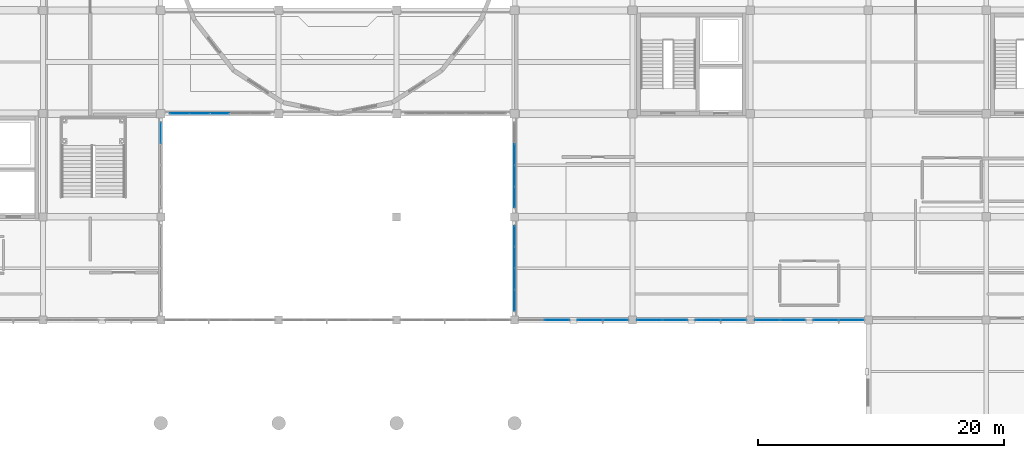
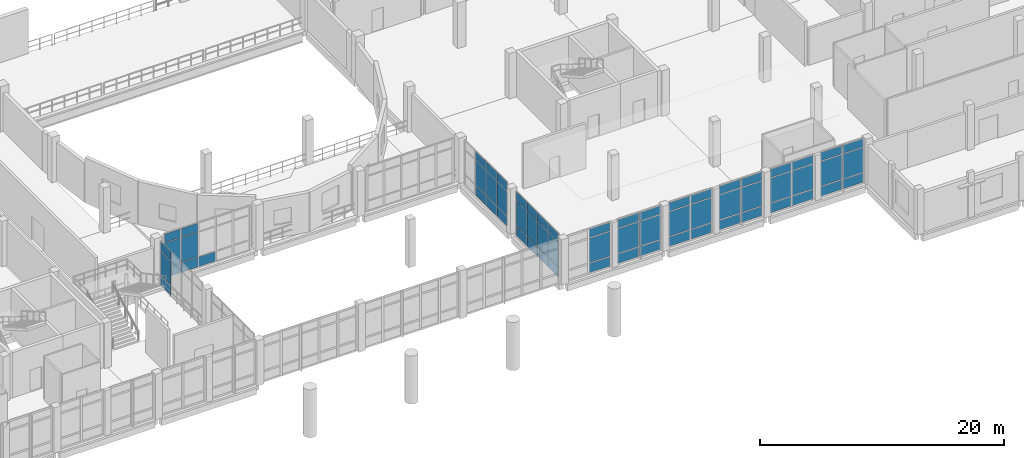
# One storey, part 79 of 102: 64 plates, 10 elements without a shape of their own.
"""IFC4 building model written with IfcOpenShell, lengths in metres."""

from ifc_helpers import new_model, si_unit, direction, frame, origin, origin_2d, place, context, subcontext, project, spatial, rectangle, extrude, material, layer, layer_set, type_object, element, aggregate, save


model = new_model("IFC4")

# Units and contexts
model_context = context("Model", 3, precision=1e-05, world=origin(), true_north=direction((0.0, 1.0)))
body_context = subcontext(model_context, "Body", "Model", "MODEL_VIEW")
ifc_project = project(units=[si_unit("LENGTHUNIT", "METRE"), si_unit("AREAUNIT", "SQUARE_METRE"), si_unit("VOLUMEUNIT", "CUBIC_METRE"), si_unit("PLANEANGLEUNIT", "RADIAN"), si_unit("MASSUNIT", "GRAM", prefix="KILO")], contexts=[model_context])

# Site, building, storey
site_placement = place(None, origin())
site = spatial("IfcSite", under=ifc_project, at=site_placement, CompositionType="ELEMENT")
building_placement = place(site_placement, origin())
building = spatial("IfcBuilding", under=site, at=building_placement, Name="Lornevale Opera House", CompositionType="ELEMENT")
storey_placement = place(building_placement, frame((0.0, 0.0, 5.39990234375)))
storey = spatial("IfcBuildingStorey", under=building, at=storey_placement, Name="L02", CompositionType="ELEMENT", Elevation=5.39990234375)

# Curtain wall, plates
ifc_material_1 = material(Name="Anodized Oxide-Green Aluminium Framing", Category="aluminium")
ifc_layer_1 = layer(ifc_material_1, 0.14990234375)
ifc_layer_set_1 = layer_set([ifc_layer_1], Name="Anodized Oxide-Green Aluminium Framing")
curtain_wall_type_1 = type_object("IfcCurtainWallType", Name="North-Light Clerestory Curtain Wall M1600", PredefinedType="NOTDEFINED", material=ifc_layer_set_1)
curtain_wall_1_placement = place(storey_placement, origin())
curtain_wall_1 = element("IfcCurtainWall", 1, at=curtain_wall_1_placement, inside=storey, type_object=curtain_wall_type_1, Name="North-Light Clerestory Curtain Wall M1600 CW-172", PredefinedType="NOTDEFINED")
ifc_material_2 = material(Name="Triple Low-E Insulated Glazing", Category="glass")
ifc_layer_2 = layer(ifc_material_2, 0.033935546875)
ifc_layer_set_2 = layer_set([ifc_layer_2], Name="Triple Low-E Insulated Glazing")
plate_type_1 = type_object("IfcPlateType", Name="Clerestory Diffusing Glazing Panel 34", PredefinedType="CURTAIN_PANEL", material=ifc_layer_set_2)
plate_1_placement = place(storey_placement, frame((67.199951171875, 32.010009765625, 0.06005859375), z_axis=(0.0, 0.0, 1.0), x_axis=(0.0, 1.0, 0.0)))
plate_1 = element("IfcPlate", 2, at=plate_1_placement, type_object=plate_type_1, Name="Clerestory Diffusing Glazing Panel 34 CW3522", PredefinedType="CURTAIN_PANEL", context=body_context, shape_type="SweptSolid", body=[
    extrude(rectangle(XDim=1.659912109375, YDim=0.033935546875, at=origin_2d()), origin(), (0.0, 0.0, 1.0), 0.9599609375),
])
plate_2_placement = place(storey_placement, frame((67.199951171875, 32.010009765625, 1.080078125), z_axis=(0.0, 0.0, 1.0), x_axis=(0.0, 1.0, 0.0)))
plate_2 = element("IfcPlate", 3, at=plate_2_placement, type_object=plate_type_1, Name="Clerestory Diffusing Glazing Panel 34 CW3523", PredefinedType="CURTAIN_PANEL", context=body_context, shape_type="SweptSolid", body=[
    extrude(rectangle(XDim=1.659912109375, YDim=0.033935546875, at=origin_2d()), origin(), (0.0, 0.0, 1.0), 2.43994140625),
])
plate_3_placement = place(storey_placement, frame((67.199951171875, 32.010009765625, 3.580078125), z_axis=(0.0, 0.0, 1.0), x_axis=(0.0, 1.0, 0.0)))
plate_3 = element("IfcPlate", 4, at=plate_3_placement, type_object=plate_type_1, Name="Clerestory Diffusing Glazing Panel 34 CW3524", PredefinedType="CURTAIN_PANEL", context=body_context, shape_type="SweptSolid", body=[
    extrude(rectangle(XDim=1.659912109375, YDim=0.033935546875, at=origin_2d()), origin(), (0.0, 0.0, 1.0), 0.860107421875),
])
aggregate(curtain_wall_1, [plate_1, plate_2, plate_3])

curtain_wall_2_placement = place(storey_placement, origin())
curtain_wall_2 = element("IfcCurtainWall", 5, at=curtain_wall_2_placement, inside=storey, type_object=curtain_wall_type_1, Name="North-Light Clerestory Curtain Wall M1600 CW-173", PredefinedType="NOTDEFINED")
plate_4_placement = place(storey_placement, frame((96.0, 30.27490234375, 0.06005859375), z_axis=(0.0, 0.0, 1.0), x_axis=(0.0, -1.0, 0.0)))
plate_4 = element("IfcPlate", 6, at=plate_4_placement, type_object=plate_type_1, Name="Clerestory Diffusing Glazing Panel 34 CW3541", PredefinedType="CURTAIN_PANEL", context=body_context, shape_type="SweptSolid", body=[
    extrude(rectangle(XDim=1.68994140625, YDim=0.033935546875, at=origin_2d()), origin(), (0.0, 0.0, 1.0), 0.9599609375),
])
plate_5_placement = place(storey_placement, frame((96.0, 30.27490234375, 1.080078125), z_axis=(0.0, 0.0, 1.0), x_axis=(0.0, -1.0, 0.0)))
plate_5 = element("IfcPlate", 7, at=plate_5_placement, type_object=plate_type_1, Name="Clerestory Diffusing Glazing Panel 34 CW3542", PredefinedType="CURTAIN_PANEL", context=body_context, shape_type="SweptSolid", body=[
    extrude(rectangle(XDim=1.68994140625, YDim=0.033935546875, at=origin_2d()), origin(), (0.0, 0.0, 1.0), 2.43994140625),
])
plate_6_placement = place(storey_placement, frame((96.0, 30.27490234375, 3.580078125), z_axis=(0.0, 0.0, 1.0), x_axis=(0.0, -1.0, 0.0)))
plate_6 = element("IfcPlate", 8, at=plate_6_placement, type_object=plate_type_1, Name="Clerestory Diffusing Glazing Panel 34 CW3543", PredefinedType="CURTAIN_PANEL", context=body_context, shape_type="SweptSolid", body=[
    extrude(rectangle(XDim=1.68994140625, YDim=0.033935546875, at=origin_2d()), origin(), (0.0, 0.0, 1.0), 0.860107421875),
])
plate_7_placement = place(storey_placement, frame((96.0, 28.52490234375, 0.06005859375), z_axis=(0.0, 0.0, 1.0), x_axis=(0.0, -1.0, 0.0)))
plate_7 = element("IfcPlate", 9, at=plate_7_placement, type_object=plate_type_1, Name="Clerestory Diffusing Glazing Panel 34 CW3548", PredefinedType="CURTAIN_PANEL", context=body_context, shape_type="SweptSolid", body=[
    extrude(rectangle(XDim=1.68994140625, YDim=0.033935546875, at=origin_2d()), origin(), (0.0, 0.0, 1.0), 0.9599609375),
])
plate_8_placement = place(storey_placement, frame((96.0, 28.52490234375, 1.080078125), z_axis=(0.0, 0.0, 1.0), x_axis=(0.0, -1.0, 0.0)))
plate_8 = element("IfcPlate", 10, at=plate_8_placement, type_object=plate_type_1, Name="Clerestory Diffusing Glazing Panel 34 CW3549", PredefinedType="CURTAIN_PANEL", context=body_context, shape_type="SweptSolid", body=[
    extrude(rectangle(XDim=1.68994140625, YDim=0.033935546875, at=origin_2d()), origin(), (0.0, 0.0, 1.0), 2.43994140625),
])
plate_9_placement = place(storey_placement, frame((96.0, 28.52490234375, 3.580078125), z_axis=(0.0, 0.0, 1.0), x_axis=(0.0, -1.0, 0.0)))
plate_9 = element("IfcPlate", 11, at=plate_9_placement, type_object=plate_type_1, Name="Clerestory Diffusing Glazing Panel 34 CW3550", PredefinedType="CURTAIN_PANEL", context=body_context, shape_type="SweptSolid", body=[
    extrude(rectangle(XDim=1.68994140625, YDim=0.033935546875, at=origin_2d()), origin(), (0.0, 0.0, 1.0), 0.860107421875),
])
plate_10_placement = place(storey_placement, frame((96.0, 26.7900390625, 0.06005859375), z_axis=(0.0, 0.0, 1.0), x_axis=(0.0, -1.0, 0.0)))
plate_10 = element("IfcPlate", 12, at=plate_10_placement, type_object=plate_type_1, Name="Clerestory Diffusing Glazing Panel 34 CW3555", PredefinedType="CURTAIN_PANEL", context=body_context, shape_type="SweptSolid", body=[
    extrude(rectangle(XDim=1.659912109375, YDim=0.033935546875, at=origin_2d()), origin(), (0.0, 0.0, 1.0), 0.9599609375),
])
plate_11_placement = place(storey_placement, frame((96.0, 26.7900390625, 1.080078125), z_axis=(0.0, 0.0, 1.0), x_axis=(0.0, -1.0, 0.0)))
plate_11 = element("IfcPlate", 13, at=plate_11_placement, type_object=plate_type_1, Name="Clerestory Diffusing Glazing Panel 34 CW3556", PredefinedType="CURTAIN_PANEL", context=body_context, shape_type="SweptSolid", body=[
    extrude(rectangle(XDim=1.659912109375, YDim=0.033935546875, at=origin_2d()), origin(), (0.0, 0.0, 1.0), 2.43994140625),
])
plate_12_placement = place(storey_placement, frame((96.0, 26.7900390625, 3.580078125), z_axis=(0.0, 0.0, 1.0), x_axis=(0.0, -1.0, 0.0)))
plate_12 = element("IfcPlate", 14, at=plate_12_placement, type_object=plate_type_1, Name="Clerestory Diffusing Glazing Panel 34 CW3557", PredefinedType="CURTAIN_PANEL", context=body_context, shape_type="SweptSolid", body=[
    extrude(rectangle(XDim=1.659912109375, YDim=0.033935546875, at=origin_2d()), origin(), (0.0, 0.0, 1.0), 0.860107421875),
])
aggregate(curtain_wall_2, [plate_4, plate_5, plate_6, plate_7, plate_8, plate_9, plate_10, plate_11, plate_12])

curtain_wall_3_placement = place(storey_placement, origin())
curtain_wall_3 = element("IfcCurtainWall", 15, at=curtain_wall_3_placement, inside=storey, type_object=curtain_wall_type_1, Name="North-Light Clerestory Curtain Wall M1600 CW-174", PredefinedType="NOTDEFINED")
plate_13_placement = place(storey_placement, frame((96.0, 23.610107421875, 0.06005859375), z_axis=(0.0, 0.0, 1.0), x_axis=(0.0, -1.0, 0.0)))
plate_13 = element("IfcPlate", 16, at=plate_13_placement, type_object=plate_type_1, Name="Clerestory Diffusing Glazing Panel 34 CW3567", PredefinedType="CURTAIN_PANEL", context=body_context, shape_type="SweptSolid", body=[
    extrude(rectangle(XDim=1.659912109375, YDim=0.033935546875, at=origin_2d()), origin(), (0.0, 0.0, 1.0), 0.9599609375),
])
plate_14_placement = place(storey_placement, frame((96.0, 23.610107421875, 1.080078125), z_axis=(0.0, 0.0, 1.0), x_axis=(0.0, -1.0, 0.0)))
plate_14 = element("IfcPlate", 17, at=plate_14_placement, type_object=plate_type_1, Name="Clerestory Diffusing Glazing Panel 34 CW3568", PredefinedType="CURTAIN_PANEL", context=body_context, shape_type="SweptSolid", body=[
    extrude(rectangle(XDim=1.659912109375, YDim=0.033935546875, at=origin_2d()), origin(), (0.0, 0.0, 1.0), 2.43994140625),
])
plate_15_placement = place(storey_placement, frame((96.0, 23.610107421875, 3.580078125), z_axis=(0.0, 0.0, 1.0), x_axis=(0.0, -1.0, 0.0)))
plate_15 = element("IfcPlate", 18, at=plate_15_placement, type_object=plate_type_1, Name="Clerestory Diffusing Glazing Panel 34 CW3569", PredefinedType="CURTAIN_PANEL", context=body_context, shape_type="SweptSolid", body=[
    extrude(rectangle(XDim=1.659912109375, YDim=0.033935546875, at=origin_2d()), origin(), (0.0, 0.0, 1.0), 0.860107421875),
])
plate_16_placement = place(storey_placement, frame((96.0, 21.875, 0.06005859375), z_axis=(0.0, 0.0, 1.0), x_axis=(0.0, -1.0, 0.0)))
plate_16 = element("IfcPlate", 19, at=plate_16_placement, type_object=plate_type_1, Name="Clerestory Diffusing Glazing Panel 34 CW3574", PredefinedType="CURTAIN_PANEL", context=body_context, shape_type="SweptSolid", body=[
    extrude(rectangle(XDim=1.68994140625, YDim=0.033935546875, at=origin_2d()), origin(), (0.0, 0.0, 1.0), 0.9599609375),
])
plate_17_placement = place(storey_placement, frame((96.0, 21.875, 1.080078125), z_axis=(0.0, 0.0, 1.0), x_axis=(0.0, -1.0, 0.0)))
plate_17 = element("IfcPlate", 20, at=plate_17_placement, type_object=plate_type_1, Name="Clerestory Diffusing Glazing Panel 34 CW3575", PredefinedType="CURTAIN_PANEL", context=body_context, shape_type="SweptSolid", body=[
    extrude(rectangle(XDim=1.68994140625, YDim=0.033935546875, at=origin_2d()), origin(), (0.0, 0.0, 1.0), 2.43994140625),
])
plate_18_placement = place(storey_placement, frame((96.0, 21.875, 3.580078125), z_axis=(0.0, 0.0, 1.0), x_axis=(0.0, -1.0, 0.0)))
plate_18 = element("IfcPlate", 21, at=plate_18_placement, type_object=plate_type_1, Name="Clerestory Diffusing Glazing Panel 34 CW3576", PredefinedType="CURTAIN_PANEL", context=body_context, shape_type="SweptSolid", body=[
    extrude(rectangle(XDim=1.68994140625, YDim=0.033935546875, at=origin_2d()), origin(), (0.0, 0.0, 1.0), 0.860107421875),
])
plate_19_placement = place(storey_placement, frame((96.0, 20.125, 0.06005859375), z_axis=(0.0, 0.0, 1.0), x_axis=(0.0, -1.0, 0.0)))
plate_19 = element("IfcPlate", 22, at=plate_19_placement, type_object=plate_type_1, Name="Clerestory Diffusing Glazing Panel 34 CW3581", PredefinedType="CURTAIN_PANEL", context=body_context, shape_type="SweptSolid", body=[
    extrude(rectangle(XDim=1.68994140625, YDim=0.033935546875, at=origin_2d()), origin(), (0.0, 0.0, 1.0), 0.9599609375),
])
plate_20_placement = place(storey_placement, frame((96.0, 20.125, 1.080078125), z_axis=(0.0, 0.0, 1.0), x_axis=(0.0, -1.0, 0.0)))
plate_20 = element("IfcPlate", 23, at=plate_20_placement, type_object=plate_type_1, Name="Clerestory Diffusing Glazing Panel 34 CW3582", PredefinedType="CURTAIN_PANEL", context=body_context, shape_type="SweptSolid", body=[
    extrude(rectangle(XDim=1.68994140625, YDim=0.033935546875, at=origin_2d()), origin(), (0.0, 0.0, 1.0), 2.43994140625),
])
plate_21_placement = place(storey_placement, frame((96.0, 20.125, 3.580078125), z_axis=(0.0, 0.0, 1.0), x_axis=(0.0, -1.0, 0.0)))
plate_21 = element("IfcPlate", 24, at=plate_21_placement, type_object=plate_type_1, Name="Clerestory Diffusing Glazing Panel 34 CW3583", PredefinedType="CURTAIN_PANEL", context=body_context, shape_type="SweptSolid", body=[
    extrude(rectangle(XDim=1.68994140625, YDim=0.033935546875, at=origin_2d()), origin(), (0.0, 0.0, 1.0), 0.860107421875),
])
plate_22_placement = place(storey_placement, frame((96.0, 18.389892578125, 0.06005859375), z_axis=(0.0, 0.0, 1.0), x_axis=(0.0, -1.0, 0.0)))
plate_22 = element("IfcPlate", 25, at=plate_22_placement, type_object=plate_type_1, Name="Clerestory Diffusing Glazing Panel 34 CW3588", PredefinedType="CURTAIN_PANEL", context=body_context, shape_type="SweptSolid", body=[
    extrude(rectangle(XDim=1.659912109375, YDim=0.033935546875, at=origin_2d()), origin(), (0.0, 0.0, 1.0), 0.9599609375),
])
plate_23_placement = place(storey_placement, frame((96.0, 18.389892578125, 1.080078125), z_axis=(0.0, 0.0, 1.0), x_axis=(0.0, -1.0, 0.0)))
plate_23 = element("IfcPlate", 26, at=plate_23_placement, type_object=plate_type_1, Name="Clerestory Diffusing Glazing Panel 34 CW3589", PredefinedType="CURTAIN_PANEL", context=body_context, shape_type="SweptSolid", body=[
    extrude(rectangle(XDim=1.659912109375, YDim=0.033935546875, at=origin_2d()), origin(), (0.0, 0.0, 1.0), 2.43994140625),
])
plate_24_placement = place(storey_placement, frame((96.0, 18.389892578125, 3.580078125), z_axis=(0.0, 0.0, 1.0), x_axis=(0.0, -1.0, 0.0)))
plate_24 = element("IfcPlate", 27, at=plate_24_placement, type_object=plate_type_1, Name="Clerestory Diffusing Glazing Panel 34 CW3590", PredefinedType="CURTAIN_PANEL", context=body_context, shape_type="SweptSolid", body=[
    extrude(rectangle(XDim=1.659912109375, YDim=0.033935546875, at=origin_2d()), origin(), (0.0, 0.0, 1.0), 0.860107421875),
])
aggregate(curtain_wall_3, [plate_13, plate_14, plate_15, plate_16, plate_17, plate_18, plate_19, plate_20, plate_21, plate_22, plate_23, plate_24])

curtain_wall_4_placement = place(storey_placement, origin())
curtain_wall_4 = element("IfcCurtainWall", 28, at=curtain_wall_4_placement, inside=storey, type_object=curtain_wall_type_1, Name="North-Light Clerestory Curtain Wall M1600 CW-175", PredefinedType="NOTDEFINED")
plate_25_placement = place(storey_placement, frame((68.735107421875, 33.60009765625, 0.06005859375), z_axis=(0.0, 0.0, 1.0), x_axis=(1.0, 0.0, 0.0)))
plate_25 = element("IfcPlate", 29, at=plate_25_placement, type_object=plate_type_1, Name="Clerestory Diffusing Glazing Panel 34 CW3601", PredefinedType="CURTAIN_PANEL", context=body_context, shape_type="SweptSolid", body=[
    extrude(rectangle(XDim=1.550048828125, YDim=0.033935546875, at=origin_2d()), origin(), (0.0, 0.0, 1.0), 0.9599609375),
])
plate_26_placement = place(storey_placement, frame((68.735107421875, 33.60009765625, 1.080078125), z_axis=(0.0, 0.0, 1.0), x_axis=(1.0, 0.0, 0.0)))
plate_26 = element("IfcPlate", 30, at=plate_26_placement, type_object=plate_type_1, Name="Clerestory Diffusing Glazing Panel 34 CW3602", PredefinedType="CURTAIN_PANEL", context=body_context, shape_type="SweptSolid", body=[
    extrude(rectangle(XDim=1.550048828125, YDim=0.033935546875, at=origin_2d()), origin(), (0.0, 0.0, 1.0), 2.43994140625),
])
plate_27_placement = place(storey_placement, frame((68.735107421875, 33.60009765625, 3.580078125), z_axis=(0.0, 0.0, 1.0), x_axis=(1.0, 0.0, 0.0)))
plate_27 = element("IfcPlate", 31, at=plate_27_placement, type_object=plate_type_1, Name="Clerestory Diffusing Glazing Panel 34 CW3603", PredefinedType="CURTAIN_PANEL", context=body_context, shape_type="SweptSolid", body=[
    extrude(rectangle(XDim=1.550048828125, YDim=0.033935546875, at=origin_2d()), origin(), (0.0, 0.0, 1.0), 0.860107421875),
])
plate_28_placement = place(storey_placement, frame((70.360107421875, 33.60009765625, 0.06005859375), z_axis=(0.0, 0.0, 1.0), x_axis=(1.0, 0.0, 0.0)))
plate_28 = element("IfcPlate", 32, at=plate_28_placement, type_object=plate_type_1, Name="Clerestory Diffusing Glazing Panel 34 CW3608", PredefinedType="CURTAIN_PANEL", context=body_context, shape_type="SweptSolid", body=[
    extrude(rectangle(XDim=1.580078125, YDim=0.033935546875, at=origin_2d()), origin(), (0.0, 0.0, 1.0), 0.9599609375),
])
plate_29_placement = place(storey_placement, frame((70.360107421875, 33.60009765625, 1.080078125), z_axis=(0.0, 0.0, 1.0), x_axis=(1.0, 0.0, 0.0)))
plate_29 = element("IfcPlate", 33, at=plate_29_placement, type_object=plate_type_1, Name="Clerestory Diffusing Glazing Panel 34 CW3609", PredefinedType="CURTAIN_PANEL", context=body_context, shape_type="SweptSolid", body=[
    extrude(rectangle(XDim=1.580078125, YDim=0.033935546875, at=origin_2d()), origin(), (0.0, 0.0, 1.0), 2.43994140625),
])
plate_30_placement = place(storey_placement, frame((70.360107421875, 33.60009765625, 3.580078125), z_axis=(0.0, 0.0, 1.0), x_axis=(1.0, 0.0, 0.0)))
plate_30 = element("IfcPlate", 34, at=plate_30_placement, type_object=plate_type_1, Name="Clerestory Diffusing Glazing Panel 34 CW3610", PredefinedType="CURTAIN_PANEL", context=body_context, shape_type="SweptSolid", body=[
    extrude(rectangle(XDim=1.580078125, YDim=0.033935546875, at=origin_2d()), origin(), (0.0, 0.0, 1.0), 0.860107421875),
])
plate_31_placement = place(storey_placement, frame((72.0, 33.60009765625, 0.06005859375), z_axis=(0.0, 0.0, 1.0), x_axis=(1.0, 0.0, 0.0)))
plate_31 = element("IfcPlate", 35, at=plate_31_placement, type_object=plate_type_1, Name="Clerestory Diffusing Glazing Panel 34 CW3615", PredefinedType="CURTAIN_PANEL", context=body_context, shape_type="SweptSolid", body=[
    extrude(rectangle(XDim=1.580078125, YDim=0.033935546875, at=origin_2d()), origin(), (0.0, 0.0, 1.0), 0.9599609375),
])
aggregate(curtain_wall_4, [plate_25, plate_26, plate_27, plate_28, plate_29, plate_30, plate_31])

ifc_layer_3 = layer(ifc_material_1, 0.219970703125)
ifc_layer_set_3 = layer_set([ifc_layer_3], Name="Anodized Oxide-Green Aluminium Framing")
curtain_wall_type_2 = type_object("IfcCurtainWallType", Name="Winter-Garden Curtain Wall M1900", PredefinedType="NOTDEFINED", material=ifc_layer_set_3)
curtain_wall_5_placement = place(storey_placement, origin())
curtain_wall_5 = element("IfcCurtainWall", 36, at=curtain_wall_5_placement, inside=storey, type_object=curtain_wall_type_2, Name="Winter-Garden Curtain Wall M1900 CW-072", PredefinedType="NOTDEFINED")
ifc_layer_4 = layer(ifc_material_2, 0.0380859375)
ifc_layer_set_4 = layer_set([ifc_layer_4], Name="Triple Low-E Insulated Glazing")
plate_type_2 = type_object("IfcPlateType", Name="Triple Low-E Vision Panel 38", PredefinedType="CURTAIN_PANEL", material=ifc_layer_set_4)
plate_32_placement = place(storey_placement, frame((104.21044921875, 16.800048828125, 0.074951171875), z_axis=(0.0, 0.0, 1.0), x_axis=(-1.0, 0.0, 0.0)))
plate_32 = element("IfcPlate", 37, at=plate_32_placement, type_object=plate_type_2, Name="Triple Low-E Vision Panel 38 CW1487", PredefinedType="CURTAIN_PANEL", context=body_context, shape_type="SweptSolid", body=[
    extrude(rectangle(XDim=1.987060546875, YDim=0.0380859375, at=origin_2d()), origin(), (0.0, 0.0, 1.0), 0.9375),
])
plate_33_placement = place(storey_placement, frame((104.21044921875, 16.800048828125, 1.08740234375), z_axis=(0.0, 0.0, 1.0), x_axis=(-1.0, 0.0, 0.0)))
plate_33 = element("IfcPlate", 38, at=plate_33_placement, type_object=plate_type_2, Name="Triple Low-E Vision Panel 38 CW1488", PredefinedType="CURTAIN_PANEL", context=body_context, shape_type="SweptSolid", body=[
    extrude(rectangle(XDim=1.987060546875, YDim=0.0380859375, at=origin_2d()), origin(), (0.0, 0.0, 1.0), 2.445068359375),
])
plate_34_placement = place(storey_placement, frame((104.21044921875, 16.800048828125, 3.607666015625), z_axis=(0.0, 0.0, 1.0), x_axis=(-1.0, 0.0, 0.0)))
plate_34 = element("IfcPlate", 39, at=plate_34_placement, type_object=plate_type_2, Name="Triple Low-E Vision Panel 38 CW1489", PredefinedType="CURTAIN_PANEL", context=body_context, shape_type="SweptSolid", body=[
    extrude(rectangle(XDim=1.987060546875, YDim=0.0380859375, at=origin_2d()), origin(), (0.0, 0.0, 1.0), 0.83740234375),
])
plate_35_placement = place(storey_placement, frame((102.1484375, 16.800048828125, 0.074951171875), z_axis=(0.0, 0.0, 1.0), x_axis=(-1.0, 0.0, 0.0)))
plate_35 = element("IfcPlate", 40, at=plate_35_placement, type_object=plate_type_2, Name="Triple Low-E Vision Panel 38 CW1494", PredefinedType="CURTAIN_PANEL", context=body_context, shape_type="SweptSolid", body=[
    extrude(rectangle(XDim=1.987060546875, YDim=0.0380859375, at=origin_2d()), origin(), (0.0, 0.0, 1.0), 0.9375),
])
plate_36_placement = place(storey_placement, frame((102.1484375, 16.800048828125, 1.08740234375), z_axis=(0.0, 0.0, 1.0), x_axis=(-1.0, 0.0, 0.0)))
plate_36 = element("IfcPlate", 41, at=plate_36_placement, type_object=plate_type_2, Name="Triple Low-E Vision Panel 38 CW1495", PredefinedType="CURTAIN_PANEL", context=body_context, shape_type="SweptSolid", body=[
    extrude(rectangle(XDim=1.987060546875, YDim=0.0380859375, at=origin_2d()), origin(), (0.0, 0.0, 1.0), 2.445068359375),
])
plate_37_placement = place(storey_placement, frame((102.1484375, 16.800048828125, 3.607666015625), z_axis=(0.0, 0.0, 1.0), x_axis=(-1.0, 0.0, 0.0)))
plate_37 = element("IfcPlate", 42, at=plate_37_placement, type_object=plate_type_2, Name="Triple Low-E Vision Panel 38 CW1496", PredefinedType="CURTAIN_PANEL", context=body_context, shape_type="SweptSolid", body=[
    extrude(rectangle(XDim=1.987060546875, YDim=0.0380859375, at=origin_2d()), origin(), (0.0, 0.0, 1.0), 0.83740234375),
])
aggregate(curtain_wall_5, [plate_32, plate_33, plate_34, plate_35, plate_36, plate_37])

curtain_wall_6_placement = place(storey_placement, origin())
curtain_wall_6 = element("IfcCurtainWall", 43, at=curtain_wall_6_placement, inside=storey, type_object=curtain_wall_type_2, Name="Winter-Garden Curtain Wall M1900 CW-073", PredefinedType="NOTDEFINED")
plate_38_placement = place(storey_placement, frame((99.451416015625, 16.800048828125, 0.074951171875), z_axis=(0.0, 0.0, 1.0), x_axis=(-1.0, 0.0, 0.0)))
plate_38 = element("IfcPlate", 44, at=plate_38_placement, type_object=plate_type_2, Name="Triple Low-E Vision Panel 38 CW1504", PredefinedType="CURTAIN_PANEL", context=body_context, shape_type="SweptSolid", body=[
    extrude(rectangle(XDim=1.987060546875, YDim=0.0380859375, at=origin_2d()), origin(), (0.0, 0.0, 1.0), 0.9375),
])
plate_39_placement = place(storey_placement, frame((99.451416015625, 16.800048828125, 1.08740234375), z_axis=(0.0, 0.0, 1.0), x_axis=(-1.0, 0.0, 0.0)))
plate_39 = element("IfcPlate", 45, at=plate_39_placement, type_object=plate_type_2, Name="Triple Low-E Vision Panel 38 CW1505", PredefinedType="CURTAIN_PANEL", context=body_context, shape_type="SweptSolid", body=[
    extrude(rectangle(XDim=1.987060546875, YDim=0.0380859375, at=origin_2d()), origin(), (0.0, 0.0, 1.0), 2.445068359375),
])
plate_40_placement = place(storey_placement, frame((99.451416015625, 16.800048828125, 3.607666015625), z_axis=(0.0, 0.0, 1.0), x_axis=(-1.0, 0.0, 0.0)))
plate_40 = element("IfcPlate", 46, at=plate_40_placement, type_object=plate_type_2, Name="Triple Low-E Vision Panel 38 CW1506", PredefinedType="CURTAIN_PANEL", context=body_context, shape_type="SweptSolid", body=[
    extrude(rectangle(XDim=1.987060546875, YDim=0.0380859375, at=origin_2d()), origin(), (0.0, 0.0, 1.0), 0.83740234375),
])
aggregate(curtain_wall_6, [plate_38, plate_39, plate_40])

curtain_wall_7_placement = place(storey_placement, origin())
curtain_wall_7 = element("IfcCurtainWall", 47, at=curtain_wall_7_placement, inside=storey, type_object=curtain_wall_type_2, Name="Winter-Garden Curtain Wall M1900 CW-074", PredefinedType="NOTDEFINED")
plate_41_placement = place(storey_placement, frame((113.810546875, 16.800048828125, 0.074951171875), z_axis=(0.0, 0.0, 1.0), x_axis=(-1.0, 0.0, 0.0)))
plate_41 = element("IfcPlate", 48, at=plate_41_placement, type_object=plate_type_2, Name="Triple Low-E Vision Panel 38 CW1521", PredefinedType="CURTAIN_PANEL", context=body_context, shape_type="SweptSolid", body=[
    extrude(rectangle(XDim=1.987060546875, YDim=0.0380859375, at=origin_2d()), origin(), (0.0, 0.0, 1.0), 0.9375),
])
plate_42_placement = place(storey_placement, frame((113.810546875, 16.800048828125, 1.08740234375), z_axis=(0.0, 0.0, 1.0), x_axis=(-1.0, 0.0, 0.0)))
plate_42 = element("IfcPlate", 49, at=plate_42_placement, type_object=plate_type_2, Name="Triple Low-E Vision Panel 38 CW1522", PredefinedType="CURTAIN_PANEL", context=body_context, shape_type="SweptSolid", body=[
    extrude(rectangle(XDim=1.987060546875, YDim=0.0380859375, at=origin_2d()), origin(), (0.0, 0.0, 1.0), 2.445068359375),
])
plate_43_placement = place(storey_placement, frame((113.810546875, 16.800048828125, 3.607666015625), z_axis=(0.0, 0.0, 1.0), x_axis=(-1.0, 0.0, 0.0)))
plate_43 = element("IfcPlate", 50, at=plate_43_placement, type_object=plate_type_2, Name="Triple Low-E Vision Panel 38 CW1523", PredefinedType="CURTAIN_PANEL", context=body_context, shape_type="SweptSolid", body=[
    extrude(rectangle(XDim=1.987060546875, YDim=0.0380859375, at=origin_2d()), origin(), (0.0, 0.0, 1.0), 0.83740234375),
])
plate_44_placement = place(storey_placement, frame((111.74853515625, 16.800048828125, 0.074951171875), z_axis=(0.0, 0.0, 1.0), x_axis=(-1.0, 0.0, 0.0)))
plate_44 = element("IfcPlate", 51, at=plate_44_placement, type_object=plate_type_2, Name="Triple Low-E Vision Panel 38 CW1528", PredefinedType="CURTAIN_PANEL", context=body_context, shape_type="SweptSolid", body=[
    extrude(rectangle(XDim=1.987060546875, YDim=0.0380859375, at=origin_2d()), origin(), (0.0, 0.0, 1.0), 0.9375),
])
plate_45_placement = place(storey_placement, frame((111.74853515625, 16.800048828125, 1.08740234375), z_axis=(0.0, 0.0, 1.0), x_axis=(-1.0, 0.0, 0.0)))
plate_45 = element("IfcPlate", 52, at=plate_45_placement, type_object=plate_type_2, Name="Triple Low-E Vision Panel 38 CW1529", PredefinedType="CURTAIN_PANEL", context=body_context, shape_type="SweptSolid", body=[
    extrude(rectangle(XDim=1.987060546875, YDim=0.0380859375, at=origin_2d()), origin(), (0.0, 0.0, 1.0), 2.445068359375),
])
plate_46_placement = place(storey_placement, frame((111.74853515625, 16.800048828125, 3.607666015625), z_axis=(0.0, 0.0, 1.0), x_axis=(-1.0, 0.0, 0.0)))
plate_46 = element("IfcPlate", 53, at=plate_46_placement, type_object=plate_type_2, Name="Triple Low-E Vision Panel 38 CW1530", PredefinedType="CURTAIN_PANEL", context=body_context, shape_type="SweptSolid", body=[
    extrude(rectangle(XDim=1.987060546875, YDim=0.0380859375, at=origin_2d()), origin(), (0.0, 0.0, 1.0), 0.83740234375),
])
aggregate(curtain_wall_7, [plate_41, plate_42, plate_43, plate_44, plate_45, plate_46])

curtain_wall_8_placement = place(storey_placement, origin())
curtain_wall_8 = element("IfcCurtainWall", 54, at=curtain_wall_8_placement, inside=storey, type_object=curtain_wall_type_2, Name="Winter-Garden Curtain Wall M1900 CW-075", PredefinedType="NOTDEFINED")
plate_47_placement = place(storey_placement, frame((109.051513671875, 16.800048828125, 0.074951171875), z_axis=(0.0, 0.0, 1.0), x_axis=(-1.0, 0.0, 0.0)))
plate_47 = element("IfcPlate", 55, at=plate_47_placement, type_object=plate_type_2, Name="Triple Low-E Vision Panel 38 CW1538", PredefinedType="CURTAIN_PANEL", context=body_context, shape_type="SweptSolid", body=[
    extrude(rectangle(XDim=1.987060546875, YDim=0.0380859375, at=origin_2d()), origin(), (0.0, 0.0, 1.0), 0.9375),
])
plate_48_placement = place(storey_placement, frame((109.051513671875, 16.800048828125, 1.08740234375), z_axis=(0.0, 0.0, 1.0), x_axis=(-1.0, 0.0, 0.0)))
plate_48 = element("IfcPlate", 56, at=plate_48_placement, type_object=plate_type_2, Name="Triple Low-E Vision Panel 38 CW1539", PredefinedType="CURTAIN_PANEL", context=body_context, shape_type="SweptSolid", body=[
    extrude(rectangle(XDim=1.987060546875, YDim=0.0380859375, at=origin_2d()), origin(), (0.0, 0.0, 1.0), 2.445068359375),
])
plate_49_placement = place(storey_placement, frame((109.051513671875, 16.800048828125, 3.607666015625), z_axis=(0.0, 0.0, 1.0), x_axis=(-1.0, 0.0, 0.0)))
plate_49 = element("IfcPlate", 57, at=plate_49_placement, type_object=plate_type_2, Name="Triple Low-E Vision Panel 38 CW1540", PredefinedType="CURTAIN_PANEL", context=body_context, shape_type="SweptSolid", body=[
    extrude(rectangle(XDim=1.987060546875, YDim=0.0380859375, at=origin_2d()), origin(), (0.0, 0.0, 1.0), 0.83740234375),
])
plate_50_placement = place(storey_placement, frame((106.989501953125, 16.800048828125, 0.074951171875), z_axis=(0.0, 0.0, 1.0), x_axis=(-1.0, 0.0, 0.0)))
plate_50 = element("IfcPlate", 58, at=plate_50_placement, type_object=plate_type_2, Name="Triple Low-E Vision Panel 38 CW1545", PredefinedType="CURTAIN_PANEL", context=body_context, shape_type="SweptSolid", body=[
    extrude(rectangle(XDim=1.987060546875, YDim=0.0380859375, at=origin_2d()), origin(), (0.0, 0.0, 1.0), 0.9375),
])
plate_51_placement = place(storey_placement, frame((106.989501953125, 16.800048828125, 1.08740234375), z_axis=(0.0, 0.0, 1.0), x_axis=(-1.0, 0.0, 0.0)))
plate_51 = element("IfcPlate", 59, at=plate_51_placement, type_object=plate_type_2, Name="Triple Low-E Vision Panel 38 CW1546", PredefinedType="CURTAIN_PANEL", context=body_context, shape_type="SweptSolid", body=[
    extrude(rectangle(XDim=1.987060546875, YDim=0.0380859375, at=origin_2d()), origin(), (0.0, 0.0, 1.0), 2.445068359375),
])
plate_52_placement = place(storey_placement, frame((106.989501953125, 16.800048828125, 3.607666015625), z_axis=(0.0, 0.0, 1.0), x_axis=(-1.0, 0.0, 0.0)))
plate_52 = element("IfcPlate", 60, at=plate_52_placement, type_object=plate_type_2, Name="Triple Low-E Vision Panel 38 CW1547", PredefinedType="CURTAIN_PANEL", context=body_context, shape_type="SweptSolid", body=[
    extrude(rectangle(XDim=1.987060546875, YDim=0.0380859375, at=origin_2d()), origin(), (0.0, 0.0, 1.0), 0.83740234375),
])
aggregate(curtain_wall_8, [plate_47, plate_48, plate_49, plate_50, plate_51, plate_52])

curtain_wall_9_placement = place(storey_placement, origin())
curtain_wall_9 = element("IfcCurtainWall", 61, at=curtain_wall_9_placement, inside=storey, type_object=curtain_wall_type_2, Name="Winter-Garden Curtain Wall M1900 CW-076", PredefinedType="NOTDEFINED")
plate_53_placement = place(storey_placement, frame((123.410400390625, 16.800048828125, 0.074951171875), z_axis=(0.0, 0.0, 1.0), x_axis=(-1.0, 0.0, 0.0)))
plate_53 = element("IfcPlate", 62, at=plate_53_placement, type_object=plate_type_2, Name="Triple Low-E Vision Panel 38 CW1555", PredefinedType="CURTAIN_PANEL", context=body_context, shape_type="SweptSolid", body=[
    extrude(rectangle(XDim=1.987060546875, YDim=0.0380859375, at=origin_2d()), origin(), (0.0, 0.0, 1.0), 0.9375),
])
plate_54_placement = place(storey_placement, frame((123.410400390625, 16.800048828125, 1.08740234375), z_axis=(0.0, 0.0, 1.0), x_axis=(-1.0, 0.0, 0.0)))
plate_54 = element("IfcPlate", 63, at=plate_54_placement, type_object=plate_type_2, Name="Triple Low-E Vision Panel 38 CW1556", PredefinedType="CURTAIN_PANEL", context=body_context, shape_type="SweptSolid", body=[
    extrude(rectangle(XDim=1.987060546875, YDim=0.0380859375, at=origin_2d()), origin(), (0.0, 0.0, 1.0), 2.445068359375),
])
plate_55_placement = place(storey_placement, frame((123.410400390625, 16.800048828125, 3.607666015625), z_axis=(0.0, 0.0, 1.0), x_axis=(-1.0, 0.0, 0.0)))
plate_55 = element("IfcPlate", 64, at=plate_55_placement, type_object=plate_type_2, Name="Triple Low-E Vision Panel 38 CW1557", PredefinedType="CURTAIN_PANEL", context=body_context, shape_type="SweptSolid", body=[
    extrude(rectangle(XDim=1.987060546875, YDim=0.0380859375, at=origin_2d()), origin(), (0.0, 0.0, 1.0), 0.83740234375),
])
plate_56_placement = place(storey_placement, frame((121.348388671875, 16.800048828125, 0.074951171875), z_axis=(0.0, 0.0, 1.0), x_axis=(-1.0, 0.0, 0.0)))
plate_56 = element("IfcPlate", 65, at=plate_56_placement, type_object=plate_type_2, Name="Triple Low-E Vision Panel 38 CW1562", PredefinedType="CURTAIN_PANEL", context=body_context, shape_type="SweptSolid", body=[
    extrude(rectangle(XDim=1.987060546875, YDim=0.0380859375, at=origin_2d()), origin(), (0.0, 0.0, 1.0), 0.9375),
])
plate_57_placement = place(storey_placement, frame((121.348388671875, 16.800048828125, 1.08740234375), z_axis=(0.0, 0.0, 1.0), x_axis=(-1.0, 0.0, 0.0)))
plate_57 = element("IfcPlate", 66, at=plate_57_placement, type_object=plate_type_2, Name="Triple Low-E Vision Panel 38 CW1563", PredefinedType="CURTAIN_PANEL", context=body_context, shape_type="SweptSolid", body=[
    extrude(rectangle(XDim=1.987060546875, YDim=0.0380859375, at=origin_2d()), origin(), (0.0, 0.0, 1.0), 2.445068359375),
])
plate_58_placement = place(storey_placement, frame((121.348388671875, 16.800048828125, 3.607666015625), z_axis=(0.0, 0.0, 1.0), x_axis=(-1.0, 0.0, 0.0)))
plate_58 = element("IfcPlate", 67, at=plate_58_placement, type_object=plate_type_2, Name="Triple Low-E Vision Panel 38 CW1564", PredefinedType="CURTAIN_PANEL", context=body_context, shape_type="SweptSolid", body=[
    extrude(rectangle(XDim=1.987060546875, YDim=0.0380859375, at=origin_2d()), origin(), (0.0, 0.0, 1.0), 0.83740234375),
])
aggregate(curtain_wall_9, [plate_53, plate_54, plate_55, plate_56, plate_57, plate_58])

curtain_wall_10_placement = place(storey_placement, origin())
curtain_wall_10 = element("IfcCurtainWall", 68, at=curtain_wall_10_placement, inside=storey, type_object=curtain_wall_type_2, Name="Winter-Garden Curtain Wall M1900 CW-077", PredefinedType="NOTDEFINED")
plate_59_placement = place(storey_placement, frame((118.651611328125, 16.800048828125, 0.074951171875), z_axis=(0.0, 0.0, 1.0), x_axis=(-1.0, 0.0, 0.0)))
plate_59 = element("IfcPlate", 69, at=plate_59_placement, type_object=plate_type_2, Name="Triple Low-E Vision Panel 38 CW1572", PredefinedType="CURTAIN_PANEL", context=body_context, shape_type="SweptSolid", body=[
    extrude(rectangle(XDim=1.987060546875, YDim=0.0380859375, at=origin_2d()), origin(), (0.0, 0.0, 1.0), 0.9375),
])
plate_60_placement = place(storey_placement, frame((118.651611328125, 16.800048828125, 1.08740234375), z_axis=(0.0, 0.0, 1.0), x_axis=(-1.0, 0.0, 0.0)))
plate_60 = element("IfcPlate", 70, at=plate_60_placement, type_object=plate_type_2, Name="Triple Low-E Vision Panel 38 CW1573", PredefinedType="CURTAIN_PANEL", context=body_context, shape_type="SweptSolid", body=[
    extrude(rectangle(XDim=1.987060546875, YDim=0.0380859375, at=origin_2d()), origin(), (0.0, 0.0, 1.0), 2.445068359375),
])
plate_61_placement = place(storey_placement, frame((118.651611328125, 16.800048828125, 3.607666015625), z_axis=(0.0, 0.0, 1.0), x_axis=(-1.0, 0.0, 0.0)))
plate_61 = element("IfcPlate", 71, at=plate_61_placement, type_object=plate_type_2, Name="Triple Low-E Vision Panel 38 CW1574", PredefinedType="CURTAIN_PANEL", context=body_context, shape_type="SweptSolid", body=[
    extrude(rectangle(XDim=1.987060546875, YDim=0.0380859375, at=origin_2d()), origin(), (0.0, 0.0, 1.0), 0.83740234375),
])
plate_62_placement = place(storey_placement, frame((116.589599609375, 16.800048828125, 0.074951171875), z_axis=(0.0, 0.0, 1.0), x_axis=(-1.0, 0.0, 0.0)))
plate_62 = element("IfcPlate", 72, at=plate_62_placement, type_object=plate_type_2, Name="Triple Low-E Vision Panel 38 CW1579", PredefinedType="CURTAIN_PANEL", context=body_context, shape_type="SweptSolid", body=[
    extrude(rectangle(XDim=1.987060546875, YDim=0.0380859375, at=origin_2d()), origin(), (0.0, 0.0, 1.0), 0.9375),
])
plate_63_placement = place(storey_placement, frame((116.589599609375, 16.800048828125, 1.08740234375), z_axis=(0.0, 0.0, 1.0), x_axis=(-1.0, 0.0, 0.0)))
plate_63 = element("IfcPlate", 73, at=plate_63_placement, type_object=plate_type_2, Name="Triple Low-E Vision Panel 38 CW1580", PredefinedType="CURTAIN_PANEL", context=body_context, shape_type="SweptSolid", body=[
    extrude(rectangle(XDim=1.987060546875, YDim=0.0380859375, at=origin_2d()), origin(), (0.0, 0.0, 1.0), 2.445068359375),
])
plate_64_placement = place(storey_placement, frame((116.589599609375, 16.800048828125, 3.607666015625), z_axis=(0.0, 0.0, 1.0), x_axis=(-1.0, 0.0, 0.0)))
plate_64 = element("IfcPlate", 74, at=plate_64_placement, type_object=plate_type_2, Name="Triple Low-E Vision Panel 38 CW1581", PredefinedType="CURTAIN_PANEL", context=body_context, shape_type="SweptSolid", body=[
    extrude(rectangle(XDim=1.987060546875, YDim=0.0380859375, at=origin_2d()), origin(), (0.0, 0.0, 1.0), 0.83740234375),
])
aggregate(curtain_wall_10, [plate_59, plate_60, plate_61, plate_62, plate_63, plate_64])

save(model, "model.ifc")
